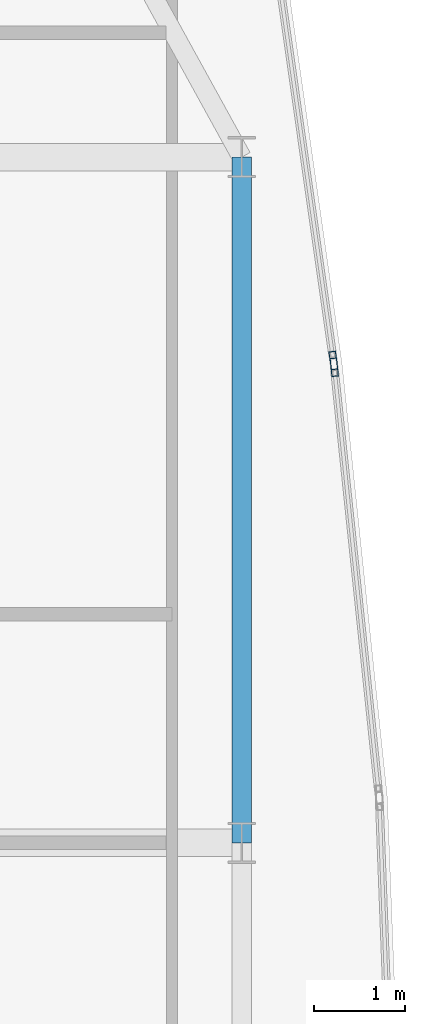
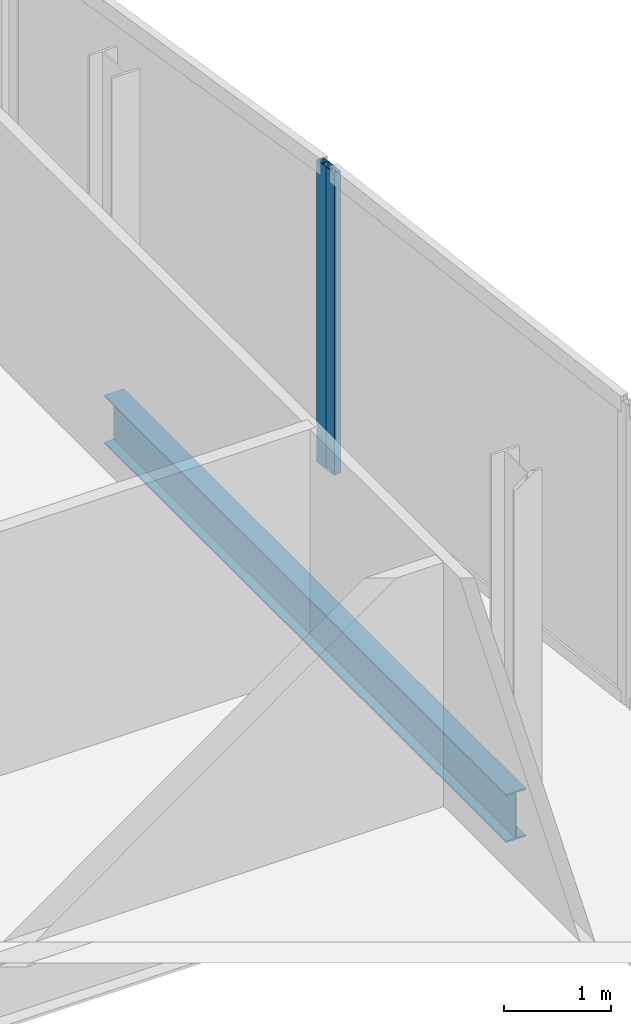
# One storey, part 19 of 30: 2 members, 1 beam, 2 elements without a shape of their own.
"""IFC4 building model written with IfcOpenShell, lengths in metres."""

from ifc_helpers import new_model, si_unit, direction, frame, origin, origin_2d, place, context, subcontext, project, spatial, hollow_rectangle, i_section, extrude, material, material_profile, profile_set, type_object, element, aggregate, save


model = new_model("IFC4")

# Units and contexts
model_context = context("Model", 3, precision=1e-05, world=origin(), true_north=direction((0.0, 1.0)))
body_context = subcontext(model_context, "Body", "Model", "MODEL_VIEW")
ifc_project = project(units=[si_unit("LENGTHUNIT", "METRE"), si_unit("AREAUNIT", "SQUARE_METRE"), si_unit("VOLUMEUNIT", "CUBIC_METRE"), si_unit("PLANEANGLEUNIT", "RADIAN"), si_unit("MASSUNIT", "GRAM", prefix="KILO")], contexts=[model_context])

# Site, building, storey
site_placement = place(None, origin())
site = spatial("IfcSite", under=ifc_project, at=site_placement, CompositionType="ELEMENT")
building_placement = place(site_placement, origin())
building = spatial("IfcBuilding", under=site, at=building_placement, Name="Khoronbel Lancet Exchange", CompositionType="ELEMENT")
storey_placement = place(building_placement, frame((0.0, 0.0, 280.60009765625)))
storey = spatial("IfcBuildingStorey", under=building, at=storey_placement, Name="L72", CompositionType="ELEMENT", Elevation=280.60009765625)

# Beam
ifc_material_1 = material(Name="Steel S355", Category="steel")
ifc_material_profile_1 = material_profile(ifc_material_1, i_section(OverallWidth=0.2099609375, OverallDepth=0.550048828125, WebThickness=0.010986328125, FlangeThickness=0.01708984375, at=origin_2d()), Name="IPE 550")
ifc_profile_set_1 = profile_set([ifc_material_profile_1], Name="Steel S355")
beam_type = type_object("IfcBeamType", Name="BM-BSP3", PredefinedType="SPANDREL", material=ifc_profile_set_1)
beam_placement = place(storey_placement, frame((63.6298828125, 35.699951171875, -0.43505859375), z_axis=(0.0, 1.0, 0.0), x_axis=(-1.0, 0.0, 0.0)))
element("IfcBeam", 1, at=beam_placement, inside=storey, type_object=beam_type, Name="Level L72 perimeter spandrel beam SP14", PredefinedType="SPANDREL", context=body_context, shape_type="SweptSolid", body=[
    extrude(i_section(OverallWidth=0.2099609375, OverallDepth=0.550048828125, WebThickness=0.010986328125, FlangeThickness=0.01708984375, at=origin_2d()), origin(), (0.0, 0.0, 1.0), 7.5),
])

# Curtain wall, member
ifc_material_2 = material(Name="Low-E Solar Control Insulating Glass", Category="glass")
curtain_wall_type = type_object("IfcCurtainWallType", Name="CW-4", PredefinedType="NOTDEFINED", material=ifc_material_2)
curtain_wall_1_placement = place(storey_placement, origin())
curtain_wall_1 = element("IfcCurtainWall", 2, at=curtain_wall_1_placement, inside=storey, type_object=curtain_wall_type, Name="Unitised curtain wall CW-L72-E17", PredefinedType="NOTDEFINED")
ifc_material_3 = material(Name="Bronze-Anodised Aluminium 6063-T6", Category="aluminium")
ifc_material_profile_2 = material_profile(ifc_material_3, hollow_rectangle(XDim=0.074951171875, YDim=0.199951171875, WallThickness=0.0048828125, at=origin_2d()), Name="ALU MULLION 75x200")
ifc_profile_set_2 = profile_set([ifc_material_profile_2], Name="Bronze-Anodised Aluminium 6063-T6")
member_type = type_object("IfcMemberType", Name="MEM-CWM2", PredefinedType="MULLION", material=ifc_profile_set_2)
member_1_placement = place(storey_placement, frame((64.633056640625, 40.97607421875, 0.0), z_axis=(0.0, 0.0, 1.0), x_axis=(0.989973632032, 0.141252284521, 0.0)))
member_1 = element("IfcMember", 3, at=member_1_placement, type_object=member_type, Name="CW4 mullion 2", PredefinedType="MULLION", context=body_context, shape_type="SweptSolid", body=[
    extrude(hollow_rectangle(XDim=0.074951171875, YDim=0.199951171875, WallThickness=0.0048828125, at=origin_2d()), origin(), (0.0, 0.0, 1.0), 3.43994140625),
])
aggregate(curtain_wall_1, [member_1])

curtain_wall_2_placement = place(storey_placement, origin())
curtain_wall_2 = element("IfcCurtainWall", 4, at=curtain_wall_2_placement, inside=storey, type_object=curtain_wall_type, Name="Unitised curtain wall CW-L72-E18", PredefinedType="NOTDEFINED")
member_2_placement = place(storey_placement, frame((64.642333984375, 40.901611328125, 0.0), z_axis=(0.0, 0.0, 1.0), x_axis=(0.994590565659, 0.103873031641, 0.0)))
member_2 = element("IfcMember", 5, at=member_2_placement, type_object=member_type, Name="CW4 mullion 1", PredefinedType="MULLION", context=body_context, shape_type="SweptSolid", body=[
    extrude(hollow_rectangle(XDim=0.074951171875, YDim=0.199951171875, WallThickness=0.0048828125, at=origin_2d()), origin(), (0.0, 0.0, 1.0), 3.43994140625),
])
aggregate(curtain_wall_2, [member_2])

save(model, "model.ifc")
